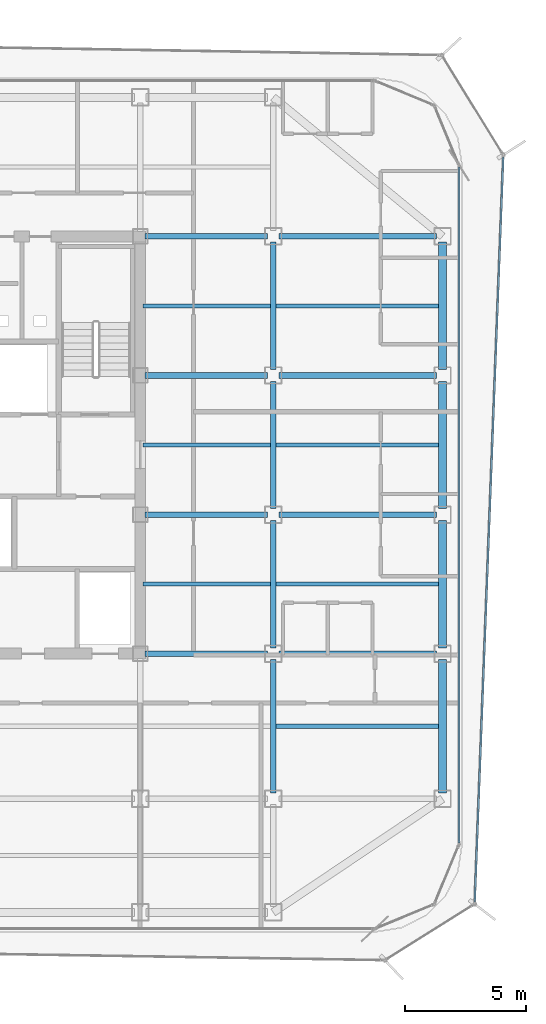
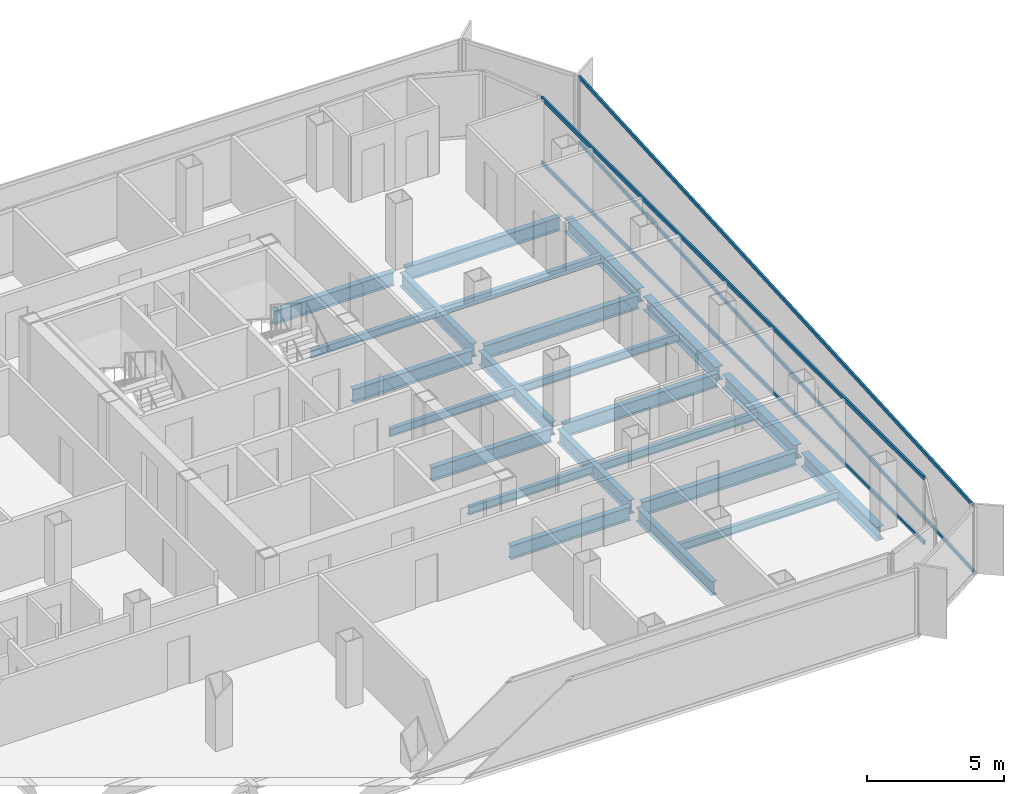
# One storey, part 5 of 15: 23 beams, 4 members, 2 elements without a shape of their own.
"""IFC4 building model written with IfcOpenShell, lengths in metres."""

from ifc_helpers import new_model, si_unit, direction, frame, origin, origin_2d, place, context, subcontext, project, spatial, hollow_rectangle, i_section, extrude, source, transform, mapped, material, layer, layer_set, material_profile, profile_set, type_object, element, aggregate, save


model = new_model("IFC4")

# Units and contexts
model_context = context("Model", 3, precision=1e-05, world=origin(), true_north=direction((0.0, 1.0)))
body_context = subcontext(model_context, "Body", "Model", "MODEL_VIEW")
ifc_project = project(units=[si_unit("LENGTHUNIT", "METRE"), si_unit("AREAUNIT", "SQUARE_METRE"), si_unit("VOLUMEUNIT", "CUBIC_METRE"), si_unit("PLANEANGLEUNIT", "RADIAN"), si_unit("MASSUNIT", "GRAM", prefix="KILO")], contexts=[model_context])

# Site, building, storey
site_placement = place(None, origin())
site = spatial("IfcSite", under=ifc_project, at=site_placement, CompositionType="ELEMENT")
building_placement = place(site_placement, origin())
building = spatial("IfcBuilding", under=site, at=building_placement, Name="Kolveth Station Tower", CompositionType="ELEMENT")
storey_placement = place(building_placement, frame((0.0, 0.0, 172.10009765625)))
storey = spatial("IfcBuildingStorey", under=building, at=storey_placement, Name="L48", CompositionType="ELEMENT", Elevation=172.10009765625)

# Beams
ifc_material_1 = material(Name="Steel S355", Category="steel")
ifc_material_profile_1 = material_profile(ifc_material_1, i_section(OverallWidth=0.323974609375, OverallDepth=0.611083984375, WebThickness=0.0126953125, FlangeThickness=0.01904296875, at=origin_2d()), Name="W610x155")
ifc_profile_set_1 = profile_set([ifc_material_profile_1], Name="Steel S355")
beam_type_1 = type_object("IfcBeamType", Name="Beam_SP2", PredefinedType="SPANDREL", material=ifc_profile_set_1)
shared_shape_1 = source(origin(), body_context, "Body", "SweptSolid", [
    extrude(i_section(OverallWidth=0.323974609375, OverallDepth=0.611083984375, WebThickness=0.0126953125, FlangeThickness=0.01904296875, at=origin_2d()), origin(), (0.0, 0.0, 1.0), 5.52001953125),
])
beam_1_placement = place(storey_placement, frame((41.0, 5.739990234375, -0.5556640625), z_axis=(0.0, 1.0, 0.0), x_axis=(-1.0, 0.0, 0.0)))
element("IfcBeam", 1, at=beam_1_placement, inside=storey, type_object=beam_type_1, Name="L48 Perimeter Spandrel BM-L48-PE-1", PredefinedType="SPANDREL", context=body_context, shape_type="MappedRepresentation", body=[
    mapped(shared_shape_1, transform((0.0, 0.0, 0.0), x_axis=(1.0, 0.0, 0.0), y_axis=(0.0, 1.0, 0.0), z_axis=(0.0, 0.0, 1.0), scale=1.0)),
])
shared_shape_2 = source(origin(), body_context, "Body", "SweptSolid", [
    extrude(i_section(OverallWidth=0.323974609375, OverallDepth=0.611083984375, WebThickness=0.0126953125, FlangeThickness=0.01904296875, at=origin_2d()), origin(), (0.0, 0.0, 1.0), 5.27001953125),
])
for number, where, z_axis, x_axis, name in (
    (2, (41.0, 11.739990234375, -0.5556640625), (0.0, 1.0, 0.0), (-1.0, 0.0, 0.0), "L48 Perimeter Spandrel BM-L48-PE-2"),
    (3, (41.0, 17.489990234375, -0.5556640625), (0.0, 1.0, 0.0), (-1.0, 0.0, 0.0), "L48 Perimeter Spandrel BM-L48-PE-3"),
    (4, (41.0, 23.239990234375, -0.5556640625), (0.0, 1.0, 0.0), (-1.0, 0.0, 0.0), "L48 Perimeter Spandrel BM-L48-PE-4"),
):
    element("IfcBeam", number, at=place(storey_placement, frame(where, z_axis=z_axis, x_axis=x_axis)), inside=storey, type_object=beam_type_1, Name=name, PredefinedType="SPANDREL", context=body_context, shape_type="MappedRepresentation", body=[
        mapped(shared_shape_2, transform((0.0, 0.0, 0.0), x_axis=(1.0, 0.0, 0.0), y_axis=(0.0, 1.0, 0.0), z_axis=(0.0, 0.0, 1.0), scale=1.0)),
    ])
ifc_material_profile_2 = material_profile(ifc_material_1, i_section(OverallWidth=0.22900390625, OverallDepth=0.612060546875, WebThickness=0.011962890625, FlangeThickness=0.01953125, at=origin_2d()), Name="W610x125")
ifc_profile_set_2 = profile_set([ifc_material_profile_2], Name="Steel S355")
beam_type_2 = type_object("IfcBeamType", Name="Beam_B5", PredefinedType="BEAM", material=ifc_profile_set_2)
shared_shape_3 = source(origin(), body_context, "Body", "SweptSolid", [
    extrude(i_section(OverallWidth=0.22900390625, OverallDepth=0.612060546875, WebThickness=0.011962890625, FlangeThickness=0.01953125, at=origin_2d()), origin(), (0.0, 0.0, 1.0), 6.52001953125),
])
for number, where, z_axis, x_axis, name in (
    (5, (34.239990234375, 11.5, -0.55615234375), (1.0, 0.0, 0.0), (0.0, 1.0, 0.0), "L48 Primary Girder BM-L48-GY115-6"),
    (6, (34.239990234375, 17.25, -0.55615234375), (1.0, 0.0, 0.0), (0.0, 1.0, 0.0), "L48 Primary Girder BM-L48-GY172-6"),
    (7, (34.239990234375, 23.0, -0.55615234375), (1.0, 0.0, 0.0), (0.0, 1.0, 0.0), "L48 Primary Girder BM-L48-GY230-6"),
    (8, (34.239990234375, 28.75, -0.55615234375), (1.0, 0.0, 0.0), (0.0, 1.0, 0.0), "L48 Primary Girder BM-L48-GY287-6"),
):
    element("IfcBeam", number, at=place(storey_placement, frame(where, z_axis=z_axis, x_axis=x_axis)), inside=storey, type_object=beam_type_2, Name=name, PredefinedType="BEAM", context=body_context, shape_type="MappedRepresentation", body=[
        mapped(shared_shape_3, transform((0.0, 0.0, 0.0), x_axis=(1.0, 0.0, 0.0), y_axis=(0.0, 1.0, 0.0), z_axis=(0.0, 0.0, 1.0), scale=1.0)),
    ])
shared_shape_4 = source(origin(), body_context, "Body", "SweptSolid", [
    extrude(i_section(OverallWidth=0.22900390625, OverallDepth=0.612060546875, WebThickness=0.011962890625, FlangeThickness=0.01953125, at=origin_2d()), origin(), (0.0, 0.0, 1.0), 5.06005859375),
])
for number, where, z_axis, x_axis, name in (
    (9, (28.699951171875, 11.5, -0.55615234375), (1.0, 0.0, 0.0), (0.0, 1.0, 0.0), "L48 Primary Girder BM-L48-GY115-5"),
    (10, (28.699951171875, 17.25, -0.55615234375), (1.0, 0.0, 0.0), (0.0, 1.0, 0.0), "L48 Primary Girder BM-L48-GY172-5"),
    (11, (28.699951171875, 23.0, -0.55615234375), (1.0, 0.0, 0.0), (0.0, 1.0, 0.0), "L48 Primary Girder BM-L48-GY230-5"),
    (12, (28.699951171875, 28.75, -0.55615234375), (1.0, 0.0, 0.0), (0.0, 1.0, 0.0), "L48 Primary Girder BM-L48-GY287-5"),
):
    element("IfcBeam", number, at=place(storey_placement, frame(where, z_axis=z_axis, x_axis=x_axis)), inside=storey, type_object=beam_type_2, Name=name, PredefinedType="BEAM", context=body_context, shape_type="MappedRepresentation", body=[
        mapped(shared_shape_4, transform((0.0, 0.0, 0.0), x_axis=(1.0, 0.0, 0.0), y_axis=(0.0, 1.0, 0.0), z_axis=(0.0, 0.0, 1.0), scale=1.0)),
    ])
shared_shape_5 = source(origin(), body_context, "Body", "SweptSolid", [
    extrude(i_section(OverallWidth=0.22900390625, OverallDepth=0.612060546875, WebThickness=0.011962890625, FlangeThickness=0.01953125, at=origin_2d()), origin(), (0.0, 0.0, 1.0), 5.52001953125),
])
beam_2_placement = place(storey_placement, frame((34.0, 5.739990234375, -0.55615234375), z_axis=(0.0, 1.0, 0.0), x_axis=(-1.0, 0.0, 0.0)))
element("IfcBeam", 13, at=beam_2_placement, inside=storey, type_object=beam_type_2, Name="L48 Primary Girder BM-L48-GX340-2", PredefinedType="BEAM", context=body_context, shape_type="MappedRepresentation", body=[
    mapped(shared_shape_5, transform((0.0, 0.0, 0.0), x_axis=(1.0, 0.0, 0.0), y_axis=(0.0, 1.0, 0.0), z_axis=(0.0, 0.0, 1.0), scale=1.0)),
])
shared_shape_6 = source(origin(), body_context, "Body", "SweptSolid", [
    extrude(i_section(OverallWidth=0.22900390625, OverallDepth=0.612060546875, WebThickness=0.011962890625, FlangeThickness=0.01953125, at=origin_2d()), origin(), (0.0, 0.0, 1.0), 5.27001953125),
])
for number, where, z_axis, x_axis, name in (
    (14, (34.0, 11.739990234375, -0.55615234375), (0.0, 1.0, 0.0), (-1.0, 0.0, 0.0), "L48 Primary Girder BM-L48-GX340-3"),
    (15, (34.0, 17.489990234375, -0.55615234375), (0.0, 1.0, 0.0), (-1.0, 0.0, 0.0), "L48 Primary Girder BM-L48-GX340-4"),
    (16, (34.0, 23.239990234375, -0.55615234375), (0.0, 1.0, 0.0), (-1.0, 0.0, 0.0), "L48 Primary Girder BM-L48-GX340-5"),
):
    element("IfcBeam", number, at=place(storey_placement, frame(where, z_axis=z_axis, x_axis=x_axis)), inside=storey, type_object=beam_type_2, Name=name, PredefinedType="BEAM", context=body_context, shape_type="MappedRepresentation", body=[
        mapped(shared_shape_6, transform((0.0, 0.0, 0.0), x_axis=(1.0, 0.0, 0.0), y_axis=(0.0, 1.0, 0.0), z_axis=(0.0, 0.0, 1.0), scale=1.0)),
    ])
ifc_material_profile_3 = material_profile(ifc_material_1, i_section(OverallWidth=0.1708984375, OverallDepth=0.35205078125, WebThickness=0.0068359375, FlangeThickness=0.009765625, at=origin_2d()), Name="W360x44")
ifc_profile_set_3 = profile_set([ifc_material_profile_3], Name="Steel S355")
beam_type_3 = type_object("IfcBeamType", Name="Beam_J2", PredefinedType="JOIST", material=ifc_profile_set_3)
shared_shape_7 = source(origin(), body_context, "Body", "SweptSolid", [
    extrude(i_section(OverallWidth=0.1708984375, OverallDepth=0.35205078125, WebThickness=0.0068359375, FlangeThickness=0.009765625, at=origin_2d()), origin(), (0.0, 0.0, 1.0), 5.27490234375),
])
for number, where, z_axis, x_axis, name in (
    (17, (28.612548828125, 14.375, -0.426025390625), (1.0, 0.0, 0.0), (0.0, 1.0, 0.0), "L48 Secondary Joist JST-L48-5-3"),
    (18, (28.612548828125, 20.125, -0.426025390625), (1.0, 0.0, 0.0), (0.0, 1.0, 0.0), "L48 Secondary Joist JST-L48-5-4"),
    (19, (28.612548828125, 25.875, -0.426025390625), (1.0, 0.0, 0.0), (0.0, 1.0, 0.0), "L48 Secondary Joist JST-L48-5-5"),
):
    element("IfcBeam", number, at=place(storey_placement, frame(where, z_axis=z_axis, x_axis=x_axis)), inside=storey, type_object=beam_type_3, Name=name, PredefinedType="JOIST", context=body_context, shape_type="MappedRepresentation", body=[
        mapped(shared_shape_7, transform((0.0, 0.0, 0.0), x_axis=(1.0, 0.0, 0.0), y_axis=(0.0, 1.0, 0.0), z_axis=(0.0, 0.0, 1.0), scale=1.0)),
    ])
shared_shape_8 = source(origin(), body_context, "Body", "SweptSolid", [
    extrude(i_section(OverallWidth=0.1708984375, OverallDepth=0.35205078125, WebThickness=0.0068359375, FlangeThickness=0.009765625, at=origin_2d()), origin(), (0.0, 0.0, 1.0), 6.7275390625),
])
for number, where, z_axis, x_axis, name in (
    (20, (34.112548828125, 8.5, -0.426025390625), (1.0, 0.0, 0.0), (0.0, 1.0, 0.0), "L48 Secondary Joist JST-L48-6-2"),
    (21, (34.112548828125, 14.375, -0.426025390625), (1.0, 0.0, 0.0), (0.0, 1.0, 0.0), "L48 Secondary Joist JST-L48-6-3"),
    (22, (34.112548828125, 20.125, -0.426025390625), (1.0, 0.0, 0.0), (0.0, 1.0, 0.0), "L48 Secondary Joist JST-L48-6-4"),
    (23, (34.112548828125, 25.875, -0.426025390625), (1.0, 0.0, 0.0), (0.0, 1.0, 0.0), "L48 Secondary Joist JST-L48-6-5"),
):
    element("IfcBeam", number, at=place(storey_placement, frame(where, z_axis=z_axis, x_axis=x_axis)), inside=storey, type_object=beam_type_3, Name=name, PredefinedType="JOIST", context=body_context, shape_type="MappedRepresentation", body=[
        mapped(shared_shape_8, transform((0.0, 0.0, 0.0), x_axis=(1.0, 0.0, 0.0), y_axis=(0.0, 1.0, 0.0), z_axis=(0.0, 0.0, 1.0), scale=1.0)),
    ])

# Curtain wall, members
ifc_material_2 = material(Name="Aluminium 6063-T6 and low-E dark glass", Category="aluminium")
ifc_layer_1 = layer(ifc_material_2, 0.18994140625)
ifc_layer_set_1 = layer_set([ifc_layer_1], Name="Aluminium 6063-T6 and low-E dark glass")
curtain_wall_type_1 = type_object("IfcCurtainWallType", Name="CurtainWall_CW-Z2", PredefinedType="NOTDEFINED", material=ifc_layer_set_1)
curtain_wall_1_placement = place(storey_placement, origin())
curtain_wall_1 = element("IfcCurtainWall", 24, at=curtain_wall_1_placement, inside=storey, type_object=curtain_wall_type_1, Name="L48 Inner Thermal Curtain Wall 3", PredefinedType="NOTDEFINED")
ifc_material_3 = material(Name="Black anodized aluminium 6063-T6", Category="aluminium")
ifc_material_profile_4 = material_profile(ifc_material_3, hollow_rectangle(XDim=0.080078125, YDim=0.169921875, WallThickness=0.0048828125, at=origin_2d()), Name="ALU-80x170x5")
ifc_profile_set_4 = profile_set([ifc_material_profile_4], Name="Black anodized aluminium 6063-T6")
member_type_1 = type_object("IfcMemberType", Name="Transom_TR2", PredefinedType="USERDEFINED", material=ifc_profile_set_4)
shared_shape_9 = source(origin(), body_context, "Body", "SweptSolid", [
    extrude(hollow_rectangle(XDim=0.080078125, YDim=0.169921875, WallThickness=0.0048828125, at=origin_2d()), origin(), (0.0, 0.0, 1.0), 27.940185546875),
])
member_1_placement = place(storey_placement, frame((41.679931640625, 3.679931640625, 0.039794921875), z_axis=(0.0, 1.0, 0.0), x_axis=(-1.0, 0.0, 0.0)))
member_1 = element("IfcMember", 25, at=member_1_placement, type_object=member_type_1, Name="CW-Z2 transom 1.1", ObjectType="TRANSOM", PredefinedType="USERDEFINED", context=body_context, shape_type="MappedRepresentation", body=[
    mapped(shared_shape_9, transform((0.0, 0.0, 0.0), x_axis=(1.0, 0.0, 0.0), y_axis=(0.0, 1.0, 0.0), z_axis=(0.0, 0.0, 1.0), scale=1.0)),
])
member_2_placement = place(storey_placement, frame((41.679931640625, 3.679931640625, 2.909912109375), z_axis=(0.0, 1.0, 0.0), x_axis=(-1.0, 0.0, 0.0)))
member_2 = element("IfcMember", 26, at=member_2_placement, type_object=member_type_1, Name="CW-Z2 transom 1.2", ObjectType="TRANSOM", PredefinedType="USERDEFINED", context=body_context, shape_type="MappedRepresentation", body=[
    mapped(shared_shape_9, transform((0.0, 0.0, 0.0), x_axis=(1.0, 0.0, 0.0), y_axis=(0.0, 1.0, 0.0), z_axis=(0.0, 0.0, 1.0), scale=1.0)),
])
aggregate(curtain_wall_1, [member_1, member_2])

ifc_material_4 = material(Name="Black anodized aluminium 6063-T6 and dark solar glass", Category="aluminium")
ifc_layer_2 = layer(ifc_material_4, 0.159912109375)
ifc_layer_set_2 = layer_set([ifc_layer_2], Name="Black anodized aluminium 6063-T6 and dark solar glass")
curtain_wall_type_2 = type_object("IfcCurtainWallType", Name="OUTER SKIN CW-OS", PredefinedType="NOTDEFINED", material=ifc_layer_set_2)
curtain_wall_2_placement = place(storey_placement, origin())
curtain_wall_2 = element("IfcCurtainWall", 27, at=curtain_wall_2_placement, inside=storey, type_object=curtain_wall_type_2, Name="L48 Outer Ventilated Skin Curtain Wall 2", PredefinedType="NOTDEFINED")
ifc_material_profile_5 = material_profile(ifc_material_3, hollow_rectangle(XDim=0.080078125, YDim=0.14990234375, WallThickness=0.0048828125, at=origin_2d()), Name="ALU-80x150x5")
ifc_profile_set_5 = profile_set([ifc_material_profile_5], Name="Black anodized aluminium 6063-T6")
member_type_2 = type_object("IfcMemberType", Name="Transom_TR-OS", PredefinedType="USERDEFINED", material=ifc_profile_set_5)
shared_shape_10 = source(origin(), body_context, "Body", "SweptSolid", [
    extrude(hollow_rectangle(XDim=0.080078125, YDim=0.14990234375, WallThickness=0.0048828125, at=origin_2d()), origin(), (0.0, 0.0, 1.0), 30.812744140625),
])
member_3_placement = place(storey_placement, frame((42.330810546875, 1.23828125, 0.039794921875), z_axis=(0.038293754292, 0.999266525198, 0.0), x_axis=(-0.999266525198, 0.038293754292, 0.0)))
member_3 = element("IfcMember", 28, at=member_3_placement, type_object=member_type_2, Name="CW-OS transom 1.1", ObjectType="TRANSOM", PredefinedType="USERDEFINED", context=body_context, shape_type="MappedRepresentation", body=[
    mapped(shared_shape_10, transform((0.0, 0.0, 0.0), x_axis=(1.0, 0.0, 0.0), y_axis=(0.0, 1.0, 0.0), z_axis=(0.0, 0.0, 1.0), scale=1.0)),
])
member_4_placement = place(storey_placement, frame((42.330810546875, 1.23828125, 2.949951171875), z_axis=(0.038293754292, 0.999266525198, 0.0), x_axis=(-0.999266525198, 0.038293754292, 0.0)))
member_4 = element("IfcMember", 29, at=member_4_placement, type_object=member_type_2, Name="CW-OS transom 1.2", ObjectType="TRANSOM", PredefinedType="USERDEFINED", context=body_context, shape_type="MappedRepresentation", body=[
    mapped(shared_shape_10, transform((0.0, 0.0, 0.0), x_axis=(1.0, 0.0, 0.0), y_axis=(0.0, 1.0, 0.0), z_axis=(0.0, 0.0, 1.0), scale=1.0)),
])
aggregate(curtain_wall_2, [member_3, member_4])

save(model, "model.ifc")
